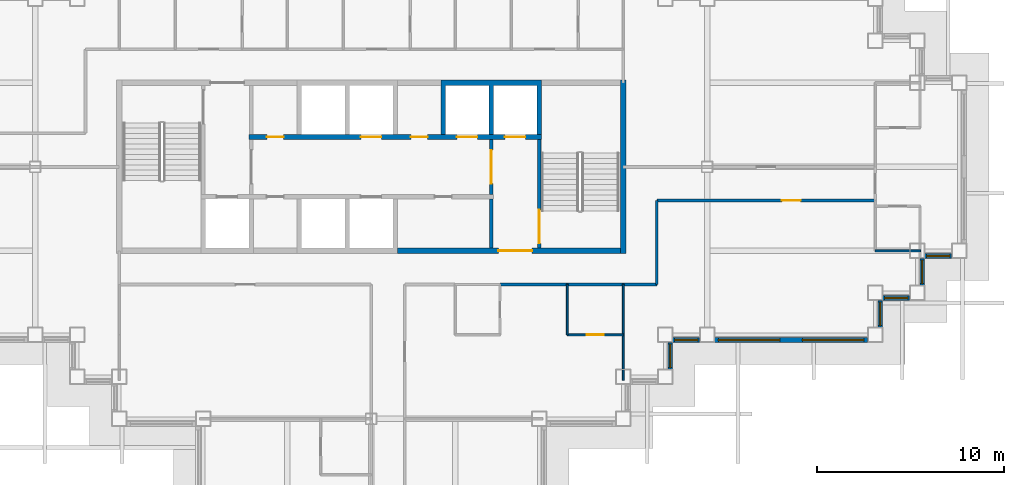
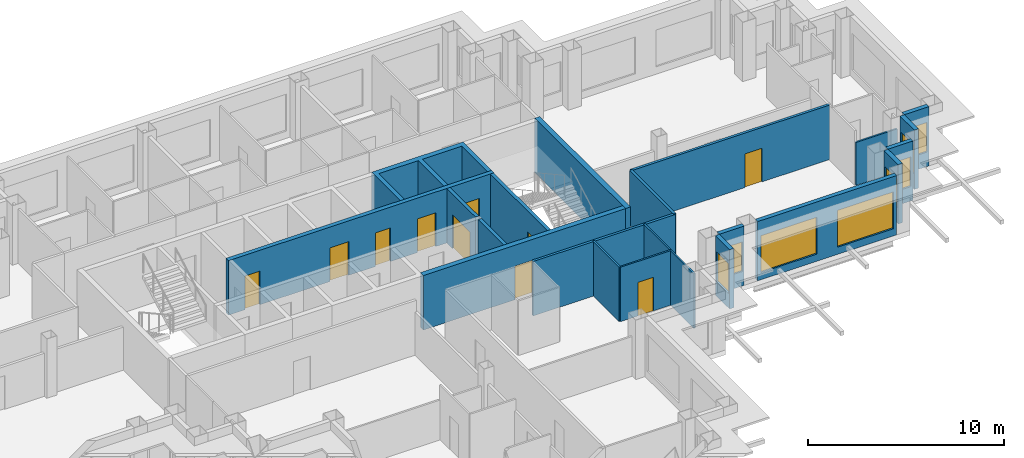
# One storey, part 6 of 14: 21 walls, 10 doors, 8 windows, 18 openings.
"""IFC4 building model written with IfcOpenShell, lengths in metres."""

from ifc_helpers import new_model, si_unit, direction, frame, frame_2d, origin, place, context, subcontext, project, spatial, polyline, rectangle, outline, extrude, material, layer, layer_set, type_object, element, fill, save


model = new_model("IFC4")

# Units and contexts
model_context = context("Model", 3, precision=1e-05, world=origin(), true_north=direction((0.0, 1.0)))
body_context = subcontext(model_context, "Body", "Model", "MODEL_VIEW")
ifc_project = project(units=[si_unit("LENGTHUNIT", "METRE"), si_unit("AREAUNIT", "SQUARE_METRE"), si_unit("VOLUMEUNIT", "CUBIC_METRE"), si_unit("PLANEANGLEUNIT", "RADIAN"), si_unit("MASSUNIT", "GRAM", prefix="KILO")], contexts=[model_context])

# Site, building, storey
site_placement = place(None, origin())
site = spatial("IfcSite", under=ifc_project, at=site_placement, CompositionType="ELEMENT")
building_placement = place(site_placement, origin())
building = spatial("IfcBuilding", under=site, at=building_placement, Name="Caravel Reach Hotel and Residences", CompositionType="ELEMENT")
storey_placement = place(building_placement, frame((0.0, 0.0, 161.699951171875)))
storey = spatial("IfcBuildingStorey", under=building, at=storey_placement, Name="L40", CompositionType="ELEMENT", Elevation=161.699951171875)

# Wall
ifc_material_1 = material(Name="Autoclaved aerated block wall")
ifc_layer_1 = layer(ifc_material_1, 0.199951171875)
ifc_layer_set_1 = layer_set([ifc_layer_1], Name="Compartment wall 200 mm EI 120")
wall_type_1 = type_object("IfcWallType", Name="Compartment wall 200 mm EI 120", PredefinedType="PARTITIONING", material=ifc_layer_set_1)
wall_1_placement = place(storey_placement, frame((37.928466796875, 22.64990234375, 0.0), z_axis=(0.0, 0.0, 1.0), x_axis=(0.0, 1.0, 0.0)))
element("IfcWall", 1, at=wall_1_placement, inside=storey, type_object=wall_type_1, Name="L40 store partition", PredefinedType="PARTITIONING", context=body_context, shape_type="SweptSolid", body=[
    extrude(rectangle(XDim=2.625, YDim=0.199951171875, at=frame_2d((1.3125, 0.0))), origin(), (0.0, 0.0, 1.0), 3.400146484375),
])

# Wall, opening, door
ifc_material_2 = material(Name="Concrete C60", Category="concrete")
ifc_layer_2 = layer(ifc_material_2, 0.300048828125)
ifc_layer_set_2 = layer_set([ifc_layer_2], Name="Core wall 300 mm EI 120")
wall_type_2 = type_object("IfcWallType", Name="Core wall 300 mm EI 120", PredefinedType="SHEAR", material=ifc_layer_set_2)
wall_2_placement = place(storey_placement, frame((32.91064453125, 22.5, 0.0), z_axis=(0.0, 0.0, 1.0), x_axis=(1.0, 0.0, 0.0)))
wall_2 = element("IfcWall", 2, at=wall_2_placement, inside=storey, type_object=wall_type_2, Name="L40 core wall S3", PredefinedType="SHEAR", context=body_context, shape_type="SweptSolid", body=[
    extrude(rectangle(XDim=11.939453125, YDim=0.300048828125, at=frame_2d((5.9697265625, 0.0))), origin(), (0.0, 0.0, 1.0), 3.400146484375),
])
opening_1_placement = place(wall_2_placement, frame((5.403564453125, 0.0, 0.0)))
opening_1 = element("IfcOpeningElement", 3, at=opening_1_placement, cuts=wall_2, Name="Opening D40-015", PredefinedType="OPENING", context=body_context, shape_type="SweptSolid", body=[
    extrude(rectangle(XDim=1.800048828125, YDim=2.10009765625, at=frame_2d((0.89990234375, 1.050048828125))), frame((0.0, 0.159912109375, 0.0), z_axis=(0.0, -1.0, 0.0), x_axis=(1.0, 0.0, 0.0)), (0.0, 0.0, 1.0), 0.320068359375),
])
ifc_material_3 = material(Name="Steel fire door leaf", Category="steel")
door_type_1 = type_object("IfcDoorType", Name="Fire lobby door pair 1800 x 2100 EI 90", OperationType="DOUBLE_DOOR_SINGLE_SWING", PredefinedType="DOOR", material=ifc_material_3)
door_1_placement = place(opening_1_placement, origin())
door_1 = element("IfcDoor", 4, at=door_1_placement, inside=storey, type_object=door_type_1, Name="lobby S door pair to corridor", OperationType="DOUBLE_DOOR_SINGLE_SWING", OverallHeight=2.10009765625, OverallWidth=1.800048828125, PredefinedType="DOOR", context=body_context, shape_type="SweptSolid", body=[
    extrude(rectangle(XDim=1.800048828125, YDim=2.10009765625, at=frame_2d((0.89990234375, 1.050048828125))), frame((0.0, 0.02490234375, 0.0), z_axis=(0.0, -1.0, 0.0), x_axis=(1.0, 0.0, 0.0)), (0.0, 0.0, 1.0), 0.050048828125),
])
fill(opening_1, door_1)

# Walls
wall_3_placement = place(storey_placement, frame((45.0, 22.35009765625, 0.0), z_axis=(0.0, 0.0, 1.0), x_axis=(0.0, 1.0, 0.0)))
element("IfcWall", 5, at=wall_3_placement, inside=storey, type_object=wall_type_2, Name="L40 core wall E", PredefinedType="SHEAR", context=body_context, shape_type="SweptSolid", body=[
    extrude(rectangle(XDim=9.2998046875, YDim=0.300048828125, at=frame_2d((4.64990234375, 0.0))), origin(), (0.0, 0.0, 1.0), 3.400146484375),
])
ifc_material_4 = material(Name="Gypsum board on steel stud, fire-rated", Category="steel")
ifc_layer_3 = layer(ifc_material_4, 0.14990234375)
ifc_layer_set_3 = layer_set([ifc_layer_3], Name="Corridor wall 150 mm EI 60")
wall_type_3 = type_object("IfcWallType", Name="Corridor wall 150 mm EI 60", PredefinedType="PARTITIONING", material=ifc_layer_set_3)
wall_4_placement = place(storey_placement, frame((38.39990234375, 20.699951171875, 0.0), z_axis=(0.0, 0.0, 1.0), x_axis=(1.0, 0.0, 0.0)))
element("IfcWall", 6, at=wall_4_placement, inside=storey, type_object=wall_type_3, Name="L40 wall w003", PredefinedType="PARTITIONING", context=body_context, shape_type="SweptSolid", body=[
    extrude(rectangle(XDim=8.400146484375, YDim=0.14990234375, at=frame_2d((4.2001953125, 0.0))), origin(), (0.0, 0.0, 1.0), 3.400146484375),
])

# Wall, opening, door
wall_5_placement = place(storey_placement, frame((46.801025390625, 25.199951171875, 0.0), z_axis=(0.0, 0.0, 1.0), x_axis=(1.0, 0.0, 0.0)))
wall_5 = element("IfcWall", 7, at=wall_5_placement, inside=storey, type_object=wall_type_3, Name="L40 wall w006", PredefinedType="PARTITIONING", context=body_context, shape_type="SweptSolid", body=[
    extrude(rectangle(XDim=11.698974609375, YDim=0.14990234375, at=frame_2d((5.849609375, 0.0))), origin(), (0.0, 0.0, 1.0), 3.400146484375),
])
opening_2_placement = place(wall_5_placement, frame((6.697998046875, 0.0, 0.0)))
opening_2 = element("IfcOpeningElement", 8, at=opening_2_placement, cuts=wall_5, Name="Opening D40-031", PredefinedType="OPENING", context=body_context, shape_type="SweptSolid", body=[
    extrude(rectangle(XDim=1.0, YDim=2.10009765625, at=frame_2d((0.5, 1.050048828125))), frame((0.0, 0.0849609375, 0.0), z_axis=(0.0, -1.0, 0.0), x_axis=(1.0, 0.0, 0.0)), (0.0, 0.0, 1.0), 0.169921875),
])
ifc_material_5 = material(Name="Steel fire door leaf", Category="steel")
door_type_2 = type_object("IfcDoorType", Name="Fire door 1000 x 2100 EI 60", OperationType="SINGLE_SWING_LEFT", PredefinedType="DOOR", material=ifc_material_5)
door_2_placement = place(opening_2_placement, origin())
door_2 = element("IfcDoor", 9, at=door_2_placement, inside=storey, type_object=door_type_2, Name="door D40-031", OperationType="SINGLE_SWING_RIGHT", OverallHeight=2.10009765625, OverallWidth=1.0, PredefinedType="DOOR", context=body_context, shape_type="SweptSolid", body=[
    extrude(rectangle(XDim=1.0, YDim=2.10009765625, at=frame_2d((0.5, 1.050048828125))), frame((0.0, 0.02490234375, 0.0), z_axis=(0.0, -1.0, 0.0), x_axis=(1.0, 0.0, 0.0)), (0.0, 0.0, 1.0), 0.050048828125),
])
fill(opening_2, door_2)

# Wall
wall_6_placement = place(storey_placement, frame((46.800048828125, 20.699951171875, 0.0), z_axis=(0.0, 0.0, 1.0), x_axis=(0.0, 1.0, 0.0)))
element("IfcWall", 10, at=wall_6_placement, inside=storey, type_object=wall_type_3, Name="L40 wall w029", PredefinedType="PARTITIONING", context=body_context, shape_type="SweptSolid", body=[
    extrude(rectangle(XDim=4.4990234375, YDim=0.14990234375, at=frame_2d((2.24951171875, 0.0))), origin(), (0.0, 0.0, 1.0), 3.400146484375),
])

# Wall, opening, window
ifc_material_6 = material(Name="Insulated rainscreen wall, aluminium cladding", Category="aluminium")
ifc_layer_4 = layer(ifc_material_6, 0.25)
ifc_layer_set_4 = layer_set([ifc_layer_4], Name="EW1 Tower rainscreen wall")
wall_type_4 = type_object("IfcWallType", Name="EW1 Tower rainscreen wall", PredefinedType="SOLIDWALL", material=ifc_layer_set_4)
wall_7_placement = place(storey_placement, frame((47.52490234375, 16.14990234375, 0.0), z_axis=(0.0, 0.0, 1.0), x_axis=(0.0, 1.0, 0.0)))
wall_7 = element("IfcWall", 11, at=wall_7_placement, inside=storey, type_object=wall_type_4, Name="External wall L40 E14.1", PredefinedType="SOLIDWALL", context=body_context, shape_type="SweptSolid", body=[
    extrude(rectangle(XDim=1.4501953125, YDim=0.25, at=frame_2d((0.72509765625, 0.0))), origin(), (0.0, 0.0, 1.0), 3.699951171875),
])
opening_3_placement = place(wall_7_placement, frame((0.10009765625, 0.0, 0.89990234375)))
opening_3 = element("IfcOpeningElement", 12, at=opening_3_placement, cuts=wall_7, Name="Opening WN13", PredefinedType="OPENING", context=body_context, shape_type="SweptSolid", body=[
    extrude(rectangle(XDim=1.25, YDim=1.85009765625, at=frame_2d((0.625, 0.925048828125))), frame((0.0, 0.135009765625, 0.0), z_axis=(0.0, -1.0, 0.0), x_axis=(1.0, 0.0, 0.0)), (0.0, 0.0, 1.0), 0.27001953125),
])
ifc_material_7 = material(Name="Dark low-e glazing in black aluminium frame", Category="aluminium")
window_type_1 = type_object("IfcWindowType", Name="Residence bedroom window 1250 x 1850", PartitioningType="SINGLE_PANEL", PredefinedType="WINDOW", material=ifc_material_7)
window_1_placement = place(opening_3_placement, origin())
window_1 = element("IfcWindow", 13, at=window_1_placement, inside=storey, type_object=window_type_1, Name="Window L40 E14.1.1", OverallHeight=1.85009765625, OverallWidth=1.25, PartitioningType="SINGLE_PANEL", PredefinedType="WINDOW", context=body_context, shape_type="SweptSolid", body=[
    extrude(rectangle(XDim=1.25, YDim=1.85009765625, at=frame_2d((0.625, 0.925048828125))), frame((0.0, 0.030029296875, 0.0), z_axis=(0.0, -1.0, 0.0), x_axis=(1.0, 0.0, 0.0)), (0.0, 0.0, 1.0), 0.06005859375),
])
fill(opening_3, window_1)

wall_8_placement = place(storey_placement, frame((47.64990234375, 17.72509765625, 0.0), z_axis=(0.0, 0.0, 1.0), x_axis=(1.0, 0.0, 0.0)))
wall_8 = element("IfcWall", 14, at=wall_8_placement, inside=storey, type_object=wall_type_4, Name="External wall L40 S15.1", PredefinedType="SOLIDWALL", context=body_context, shape_type="SweptSolid", body=[
    extrude(rectangle(XDim=1.4501953125, YDim=0.25, at=frame_2d((0.72509765625, 0.0))), origin(), (0.0, 0.0, 1.0), 3.699951171875),
])
opening_4_placement = place(wall_8_placement, frame((0.10009765625, 0.0, 0.89990234375)))
opening_4 = element("IfcOpeningElement", 15, at=opening_4_placement, cuts=wall_8, Name="Opening WN13", PredefinedType="OPENING", context=body_context, shape_type="SweptSolid", body=[
    extrude(rectangle(XDim=1.25, YDim=1.85009765625, at=frame_2d((0.625, 0.925048828125))), frame((0.0, 0.135009765625, 0.0), z_axis=(0.0, -1.0, 0.0), x_axis=(1.0, 0.0, 0.0)), (0.0, 0.0, 1.0), 0.27001953125),
])
window_2_placement = place(opening_4_placement, origin())
window_2 = element("IfcWindow", 16, at=window_2_placement, inside=storey, type_object=window_type_1, Name="Window L40 S15.1.1", OverallHeight=1.85009765625, OverallWidth=1.25, PartitioningType="SINGLE_PANEL", PredefinedType="WINDOW", context=body_context, shape_type="SweptSolid", body=[
    extrude(rectangle(XDim=1.25, YDim=1.85009765625, at=frame_2d((0.625, 0.925048828125))), frame((0.0, 0.030029296875, 0.0), z_axis=(0.0, -1.0, 0.0), x_axis=(1.0, 0.0, 0.0)), (0.0, 0.0, 1.0), 0.06005859375),
])
fill(opening_4, window_2)

# Wall, openings, windows
wall_9_placement = place(storey_placement, frame((49.89990234375, 17.72509765625, 0.0), z_axis=(0.0, 0.0, 1.0), x_axis=(1.0, 0.0, 0.0)))
wall_9 = element("IfcWall", 17, at=wall_9_placement, inside=storey, type_object=wall_type_4, Name="External wall L40 S15.2", PredefinedType="SOLIDWALL", context=body_context, shape_type="SweptSolid", body=[
    extrude(rectangle(XDim=8.2001953125, YDim=0.25, at=frame_2d((4.10009765625, 0.0))), origin(), (0.0, 0.0, 1.0), 3.699951171875),
])
opening_5_placement = place(wall_9_placement, frame((0.199951171875, 0.0, 0.449951171875)))
opening_5 = element("IfcOpeningElement", 18, at=opening_5_placement, cuts=wall_9, Name="Opening WN15", PredefinedType="OPENING", context=body_context, shape_type="SweptSolid", body=[
    extrude(rectangle(XDim=3.300048828125, YDim=2.300048828125, at=frame_2d((1.64990234375, 1.14990234375))), frame((0.0, 0.135009765625, 0.0), z_axis=(0.0, -1.0, 0.0), x_axis=(1.0, 0.0, 0.0)), (0.0, 0.0, 1.0), 0.27001953125),
])
opening_6_placement = place(wall_9_placement, frame((4.699951171875, 0.0, 0.449951171875)))
opening_6 = element("IfcOpeningElement", 19, at=opening_6_placement, cuts=wall_9, Name="Opening WN15", PredefinedType="OPENING", context=body_context, shape_type="SweptSolid", body=[
    extrude(rectangle(XDim=3.300048828125, YDim=2.300048828125, at=frame_2d((1.64990234375, 1.14990234375))), frame((0.0, 0.135009765625, 0.0), z_axis=(0.0, -1.0, 0.0), x_axis=(1.0, 0.0, 0.0)), (0.0, 0.0, 1.0), 0.27001953125),
])
ifc_material_8 = material(Name="Dark low-e glazing in black aluminium frame", Category="aluminium")
window_type_2 = type_object("IfcWindowType", Name="Residence living window 3300 x 2300", PartitioningType="SINGLE_PANEL", PredefinedType="WINDOW", material=ifc_material_8)
window_3_placement = place(opening_5_placement, origin())
window_3 = element("IfcWindow", 20, at=window_3_placement, inside=storey, type_object=window_type_2, Name="Window L40 S15.2.1", OverallHeight=2.300048828125, OverallWidth=3.300048828125, PartitioningType="SINGLE_PANEL", PredefinedType="WINDOW", context=body_context, shape_type="SweptSolid", body=[
    extrude(rectangle(XDim=3.300048828125, YDim=2.300048828125, at=frame_2d((1.64990234375, 1.14990234375))), frame((0.0, 0.030029296875, 0.0), z_axis=(0.0, -1.0, 0.0), x_axis=(1.0, 0.0, 0.0)), (0.0, 0.0, 1.0), 0.06005859375),
])
fill(opening_5, window_3)
window_4_placement = place(opening_6_placement, origin())
window_4 = element("IfcWindow", 21, at=window_4_placement, inside=storey, type_object=window_type_2, Name="Window L40 S15.2.2", OverallHeight=2.300048828125, OverallWidth=3.300048828125, PartitioningType="SINGLE_PANEL", PredefinedType="WINDOW", context=body_context, shape_type="SweptSolid", body=[
    extrude(rectangle(XDim=3.300048828125, YDim=2.300048828125, at=frame_2d((1.64990234375, 1.14990234375))), frame((0.0, 0.030029296875, 0.0), z_axis=(0.0, -1.0, 0.0), x_axis=(1.0, 0.0, 0.0)), (0.0, 0.0, 1.0), 0.06005859375),
])
fill(opening_6, window_4)

# Wall, opening, window
wall_10_placement = place(storey_placement, frame((58.77490234375, 18.39990234375, 0.0), z_axis=(0.0, 0.0, 1.0), x_axis=(0.0, 1.0, 0.0)))
wall_10 = element("IfcWall", 22, at=wall_10_placement, inside=storey, type_object=wall_type_4, Name="External wall L40 E16.1", PredefinedType="SOLIDWALL", context=body_context, shape_type="SweptSolid", body=[
    extrude(rectangle(XDim=1.4501953125, YDim=0.25, at=frame_2d((0.72509765625, 0.0))), origin(), (0.0, 0.0, 1.0), 3.699951171875),
])
opening_7_placement = place(wall_10_placement, frame((0.10009765625, 0.0, 0.89990234375)))
opening_7 = element("IfcOpeningElement", 23, at=opening_7_placement, cuts=wall_10, Name="Opening WN13", PredefinedType="OPENING", context=body_context, shape_type="SweptSolid", body=[
    extrude(rectangle(XDim=1.25, YDim=1.85009765625, at=frame_2d((0.625, 0.925048828125))), frame((0.0, 0.135009765625, 0.0), z_axis=(0.0, -1.0, 0.0), x_axis=(1.0, 0.0, 0.0)), (0.0, 0.0, 1.0), 0.27001953125),
])
window_5_placement = place(opening_7_placement, origin())
window_5 = element("IfcWindow", 24, at=window_5_placement, inside=storey, type_object=window_type_1, Name="Window L40 E16.1.1", OverallHeight=1.85009765625, OverallWidth=1.25, PartitioningType="SINGLE_PANEL", PredefinedType="WINDOW", context=body_context, shape_type="SweptSolid", body=[
    extrude(rectangle(XDim=1.25, YDim=1.85009765625, at=frame_2d((0.625, 0.925048828125))), frame((0.0, 0.030029296875, 0.0), z_axis=(0.0, -1.0, 0.0), x_axis=(1.0, 0.0, 0.0)), (0.0, 0.0, 1.0), 0.06005859375),
])
fill(opening_7, window_5)

wall_11_placement = place(storey_placement, frame((58.89990234375, 19.97509765625, 0.0), z_axis=(0.0, 0.0, 1.0), x_axis=(1.0, 0.0, 0.0)))
wall_11 = element("IfcWall", 25, at=wall_11_placement, inside=storey, type_object=wall_type_4, Name="External wall L40 S17.1", PredefinedType="SOLIDWALL", context=body_context, shape_type="SweptSolid", body=[
    extrude(rectangle(XDim=1.4501953125, YDim=0.25, at=frame_2d((0.72509765625, 0.0))), origin(), (0.0, 0.0, 1.0), 3.699951171875),
])
opening_8_placement = place(wall_11_placement, frame((0.10009765625, 0.0, 0.89990234375)))
opening_8 = element("IfcOpeningElement", 26, at=opening_8_placement, cuts=wall_11, Name="Opening WN13", PredefinedType="OPENING", context=body_context, shape_type="SweptSolid", body=[
    extrude(rectangle(XDim=1.25, YDim=1.85009765625, at=frame_2d((0.625, 0.925048828125))), frame((0.0, 0.135009765625, 0.0), z_axis=(0.0, -1.0, 0.0), x_axis=(1.0, 0.0, 0.0)), (0.0, 0.0, 1.0), 0.27001953125),
])
window_6_placement = place(opening_8_placement, origin())
window_6 = element("IfcWindow", 27, at=window_6_placement, inside=storey, type_object=window_type_1, Name="Window L40 S17.1.1", OverallHeight=1.85009765625, OverallWidth=1.25, PartitioningType="SINGLE_PANEL", PredefinedType="WINDOW", context=body_context, shape_type="SweptSolid", body=[
    extrude(rectangle(XDim=1.25, YDim=1.85009765625, at=frame_2d((0.625, 0.925048828125))), frame((0.0, 0.030029296875, 0.0), z_axis=(0.0, -1.0, 0.0), x_axis=(1.0, 0.0, 0.0)), (0.0, 0.0, 1.0), 0.06005859375),
])
fill(opening_8, window_6)

wall_12_placement = place(storey_placement, frame((61.02490234375, 20.64990234375, 0.0), z_axis=(0.0, 0.0, 1.0), x_axis=(0.0, 1.0, 0.0)))
wall_12 = element("IfcWall", 28, at=wall_12_placement, inside=storey, type_object=wall_type_4, Name="External wall L40 E18.1", PredefinedType="SOLIDWALL", context=body_context, shape_type="SweptSolid", body=[
    extrude(rectangle(XDim=1.4501953125, YDim=0.25, at=frame_2d((0.72509765625, 0.0))), origin(), (0.0, 0.0, 1.0), 3.699951171875),
])
opening_9_placement = place(wall_12_placement, frame((0.10009765625, 0.0, 0.89990234375)))
opening_9 = element("IfcOpeningElement", 29, at=opening_9_placement, cuts=wall_12, Name="Opening WN13", PredefinedType="OPENING", context=body_context, shape_type="SweptSolid", body=[
    extrude(rectangle(XDim=1.25, YDim=1.85009765625, at=frame_2d((0.625, 0.925048828125))), frame((0.0, 0.135009765625, 0.0), z_axis=(0.0, -1.0, 0.0), x_axis=(1.0, 0.0, 0.0)), (0.0, 0.0, 1.0), 0.27001953125),
])
window_7_placement = place(opening_9_placement, origin())
window_7 = element("IfcWindow", 30, at=window_7_placement, inside=storey, type_object=window_type_1, Name="Window L40 E18.1.1", OverallHeight=1.85009765625, OverallWidth=1.25, PartitioningType="SINGLE_PANEL", PredefinedType="WINDOW", context=body_context, shape_type="SweptSolid", body=[
    extrude(rectangle(XDim=1.25, YDim=1.85009765625, at=frame_2d((0.625, 0.925048828125))), frame((0.0, 0.030029296875, 0.0), z_axis=(0.0, -1.0, 0.0), x_axis=(1.0, 0.0, 0.0)), (0.0, 0.0, 1.0), 0.06005859375),
])
fill(opening_9, window_7)

wall_13_placement = place(storey_placement, frame((61.14990234375, 22.22509765625, 0.0), z_axis=(0.0, 0.0, 1.0), x_axis=(1.0, 0.0, 0.0)))
wall_13 = element("IfcWall", 31, at=wall_13_placement, inside=storey, type_object=wall_type_4, Name="External wall L40 S19.1", PredefinedType="SOLIDWALL", context=body_context, shape_type="SweptSolid", body=[
    extrude(rectangle(XDim=1.4501953125, YDim=0.25, at=frame_2d((0.72509765625, 0.0))), origin(), (0.0, 0.0, 1.0), 3.699951171875),
])
opening_10_placement = place(wall_13_placement, frame((0.10009765625, 0.0, 0.89990234375)))
opening_10 = element("IfcOpeningElement", 32, at=opening_10_placement, cuts=wall_13, Name="Opening WN13", PredefinedType="OPENING", context=body_context, shape_type="SweptSolid", body=[
    extrude(rectangle(XDim=1.25, YDim=1.85009765625, at=frame_2d((0.625, 0.925048828125))), frame((0.0, 0.135009765625, 0.0), z_axis=(0.0, -1.0, 0.0), x_axis=(1.0, 0.0, 0.0)), (0.0, 0.0, 1.0), 0.27001953125),
])
window_8_placement = place(opening_10_placement, origin())
window_8 = element("IfcWindow", 33, at=window_8_placement, inside=storey, type_object=window_type_1, Name="Window L40 S19.1.1", OverallHeight=1.85009765625, OverallWidth=1.25, PartitioningType="SINGLE_PANEL", PredefinedType="WINDOW", context=body_context, shape_type="SweptSolid", body=[
    extrude(rectangle(XDim=1.25, YDim=1.85009765625, at=frame_2d((0.625, 0.925048828125))), frame((0.0, 0.030029296875, 0.0), z_axis=(0.0, -1.0, 0.0), x_axis=(1.0, 0.0, 0.0)), (0.0, 0.0, 1.0), 0.06005859375),
])
fill(opening_10, window_8)

# Wall, opening, door
ifc_material_9 = material(Name="Autoclaved aerated block wall")
ifc_layer_5 = layer(ifc_material_9, 0.199951171875)
ifc_layer_set_5 = layer_set([ifc_layer_5], Name="Fire lobby wall 200 mm EI 120")
wall_type_5 = type_object("IfcWallType", Name="Fire lobby wall 200 mm EI 120", PredefinedType="PARTITIONING", material=ifc_layer_set_5)
wall_14_placement = place(storey_placement, frame((37.928466796875, 25.52490234375, 0.0), z_axis=(0.0, 0.0, 1.0), x_axis=(0.0, 1.0, 0.0)))
wall_14 = element("IfcWall", 34, at=wall_14_placement, inside=storey, type_object=wall_type_5, Name="L40 lobby E wall", PredefinedType="PARTITIONING", context=body_context, shape_type="SweptSolid", body=[
    extrude(rectangle(XDim=2.9501953125, YDim=0.199951171875, at=frame_2d((1.47509765625, 0.0))), origin(), (0.0, 0.0, 1.0), 3.400146484375),
])
opening_11_placement = place(wall_14_placement, frame((0.574951171875, 0.0, 0.0)))
opening_11 = element("IfcOpeningElement", 35, at=opening_11_placement, cuts=wall_14, Name="Opening D40-013", PredefinedType="OPENING", context=body_context, shape_type="SweptSolid", body=[
    extrude(rectangle(XDim=1.800048828125, YDim=2.10009765625, at=frame_2d((0.89990234375, 1.050048828125))), frame((0.0, 0.10986328125, 0.0), z_axis=(0.0, -1.0, 0.0), x_axis=(1.0, 0.0, 0.0)), (0.0, 0.0, 1.0), 0.219970703125),
])
door_3_placement = place(opening_11_placement, origin())
door_3 = element("IfcDoor", 36, at=door_3_placement, inside=storey, type_object=door_type_1, Name="lobby E door pair", OperationType="DOUBLE_DOOR_SINGLE_SWING", OverallHeight=2.10009765625, OverallWidth=1.800048828125, PredefinedType="DOOR", context=body_context, shape_type="SweptSolid", body=[
    extrude(rectangle(XDim=1.800048828125, YDim=2.10009765625, at=frame_2d((0.89990234375, 1.050048828125))), frame((0.0, 0.02490234375, 0.0), z_axis=(0.0, -1.0, 0.0), x_axis=(1.0, 0.0, 0.0)), (0.0, 0.0, 1.0), 0.050048828125),
])
fill(opening_11, door_3)

ifc_material_10 = material(Name="Gypsum board on steel stud", Category="steel")
ifc_layer_6 = layer(ifc_material_10, 0.10009765625)
ifc_layer_set_6 = layer_set([ifc_layer_6], Name="Partition 100 mm")
wall_type_6 = type_object("IfcWallType", Name="Partition 100 mm", PredefinedType="PARTITIONING", material=ifc_layer_set_6)
wall_15_placement = place(storey_placement, frame((42.0, 18.0, 0.0), z_axis=(0.0, 0.0, 1.0), x_axis=(1.0, 0.0, 0.0)))
wall_15 = element("IfcWall", 37, at=wall_15_placement, inside=storey, type_object=wall_type_6, Name="L40 wall w036", PredefinedType="PARTITIONING", context=body_context, shape_type="SweptSolid", body=[
    extrude(rectangle(XDim=3.0, YDim=0.10009765625, at=frame_2d((1.5, 0.0))), origin(), (0.0, 0.0, 1.0), 3.400146484375),
])
opening_12_placement = place(wall_15_placement, frame((1.050048828125, 0.0, 0.0)))
opening_12 = element("IfcOpeningElement", 38, at=opening_12_placement, cuts=wall_15, Name="Opening D40-035", PredefinedType="OPENING", context=body_context, shape_type="SweptSolid", body=[
    extrude(rectangle(XDim=0.89990234375, YDim=2.10009765625, at=frame_2d((0.449951171875, 1.050048828125))), frame((0.0, 0.06005859375, 0.0), z_axis=(0.0, -1.0, 0.0), x_axis=(1.0, 0.0, 0.0)), (0.0, 0.0, 1.0), 0.1201171875),
])
ifc_material_11 = material(Name="Timber and steel door leaf", Category="steel")
door_type_3 = type_object("IfcDoorType", Name="Door 900 x 2100 timber", OperationType="SINGLE_SWING_LEFT", PredefinedType="DOOR", material=ifc_material_11)
door_4_placement = place(opening_12_placement, origin())
door_4 = element("IfcDoor", 39, at=door_4_placement, inside=storey, type_object=door_type_3, Name="door D40-035", OperationType="SINGLE_SWING_RIGHT", OverallHeight=2.10009765625, OverallWidth=0.89990234375, PredefinedType="DOOR", context=body_context, shape_type="SweptSolid", body=[
    extrude(rectangle(XDim=0.89990234375, YDim=2.10009765625, at=frame_2d((0.449951171875, 1.050048828125))), frame((0.0, 0.02490234375, 0.0), z_axis=(0.0, -1.0, 0.0), x_axis=(1.0, 0.0, 0.0)), (0.0, 0.0, 1.0), 0.050048828125),
])
fill(opening_12, door_4)

# Walls
wall_16_placement = place(storey_placement, frame((58.5009765625, 22.5, 0.0), z_axis=(0.0, 0.0, 1.0), x_axis=(1.0, 0.0, 0.0)))
element("IfcWall", 40, at=wall_16_placement, inside=storey, type_object=wall_type_6, Name="L40 wall w038", PredefinedType="PARTITIONING", context=body_context, shape_type="SweptSolid", body=[
    extrude(rectangle(XDim=2.43896484375, YDim=0.10009765625, at=frame_2d((1.219482421875, 0.0))), origin(), (0.0, 0.0, 1.0), 2.679931640625),
])
wall_17_placement = place(storey_placement, frame((42.0, 18.0, 0.0), z_axis=(0.0, 0.0, 1.0), x_axis=(0.0, 1.0, 0.0)))
element("IfcWall", 41, at=wall_17_placement, inside=storey, type_object=wall_type_6, Name="L40 wall w068", PredefinedType="PARTITIONING", context=body_context, shape_type="SweptSolid", body=[
    extrude(rectangle(XDim=2.699951171875, YDim=0.10009765625, at=frame_2d((1.35009765625, 0.0))), origin(), (0.0, 0.0, 1.0), 3.400146484375),
])
wall_18_placement = place(storey_placement, frame((45.0, 15.56005859375, 0.0), z_axis=(0.0, 0.0, 1.0), x_axis=(0.0, 1.0, 0.0)))
element("IfcWall", 42, at=wall_18_placement, inside=storey, type_object=wall_type_6, Name="L40 wall w069", PredefinedType="PARTITIONING", context=body_context, shape_type="SweptSolid", body=[
    extrude(rectangle(XDim=5.138916015625, YDim=0.10009765625, at=frame_2d((2.5693359375, 0.0))), origin(), (0.0, 0.0, 1.0), 3.400146484375),
])
ifc_material_12 = material(Name="Concrete C60", Category="concrete")
ifc_layer_7 = layer(ifc_material_12, 0.25)
ifc_layer_set_7 = layer_set([ifc_layer_7], Name="Shaft wall 250 mm EI 120")
wall_type_7 = type_object("IfcWallType", Name="Shaft wall 250 mm EI 120", PredefinedType="SHEAR", material=ifc_layer_set_7)
wall_19_placement = place(storey_placement, origin())
element("IfcWall", 43, at=wall_19_placement, inside=storey, type_object=wall_type_7, Name="L40 lift shaft wall N2", PredefinedType="SHEAR", context=body_context, shape_type="SweptSolid", body=[
    extrude(outline(polyline([(35.232177734375, 28.72509765625), (35.482177734375, 28.72509765625), (35.482177734375, 31.35009765625), (37.803466796875, 31.35009765625), (37.803466796875, 28.72509765625), (38.053466796875, 28.72509765625), (38.053466796875, 31.35009765625), (40.375, 31.35009765625), (40.375, 28.72509765625), (40.625, 28.72509765625), (40.625, 31.64990234375), (35.232177734375, 31.64990234375), (35.232177734375, 28.72509765625)])), origin(), (0.0, 0.0, 1.0), 3.400146484375),
])

# Wall, openings, doors
wall_20_placement = place(storey_placement, frame((24.946533203125, 28.60009765625, 0.0), z_axis=(0.0, 0.0, 1.0), x_axis=(1.0, 0.0, 0.0)))
wall_20 = element("IfcWall", 44, at=wall_20_placement, inside=storey, type_object=wall_type_7, Name="L40 lobby wall N1", PredefinedType="SHEAR", context=body_context, shape_type="SweptSolid", body=[
    extrude(rectangle(XDim=15.678466796875, YDim=0.25, at=frame_2d((7.83935546875, 0.0))), origin(), (0.0, 0.0, 1.0), 3.400146484375),
])
opening_13_placement = place(wall_20_placement, frame((6.003662109375, 0.0, 0.0)))
opening_13 = element("IfcOpeningElement", 45, at=opening_13_placement, cuts=wall_20, Name="Opening D40-002", PredefinedType="OPENING", context=body_context, shape_type="SweptSolid", body=[
    extrude(rectangle(XDim=1.10009765625, YDim=2.10009765625, at=frame_2d((0.550048828125, 1.050048828125))), frame((0.0, 0.135009765625, 0.0), z_axis=(0.0, -1.0, 0.0), x_axis=(1.0, 0.0, 0.0)), (0.0, 0.0, 1.0), 0.27001953125),
])
opening_14_placement = place(wall_20_placement, frame((11.146484375, 0.0, 0.0)))
opening_14 = element("IfcOpeningElement", 46, at=opening_14_placement, cuts=wall_20, Name="Opening D40-003", PredefinedType="OPENING", context=body_context, shape_type="SweptSolid", body=[
    extrude(rectangle(XDim=1.10009765625, YDim=2.10009765625, at=frame_2d((0.550048828125, 1.050048828125))), frame((0.0, 0.135009765625, 0.0), z_axis=(0.0, -1.0, 0.0), x_axis=(1.0, 0.0, 0.0)), (0.0, 0.0, 1.0), 0.27001953125),
])
opening_15_placement = place(wall_20_placement, frame((13.718017578125, 0.0, 0.0)))
opening_15 = element("IfcOpeningElement", 47, at=opening_15_placement, cuts=wall_20, Name="Opening D40-005", PredefinedType="OPENING", context=body_context, shape_type="SweptSolid", body=[
    extrude(rectangle(XDim=1.10009765625, YDim=2.10009765625, at=frame_2d((0.550048828125, 1.050048828125))), frame((0.0, 0.135009765625, 0.0), z_axis=(0.0, -1.0, 0.0), x_axis=(1.0, 0.0, 0.0)), (0.0, 0.0, 1.0), 0.27001953125),
])
opening_16_placement = place(wall_20_placement, frame((0.960693359375, 0.0, 0.0)))
opening_16 = element("IfcOpeningElement", 48, at=opening_16_placement, cuts=wall_20, Name="Opening D40-008", PredefinedType="OPENING", context=body_context, shape_type="SweptSolid", body=[
    extrude(rectangle(XDim=0.89990234375, YDim=2.10009765625, at=frame_2d((0.449951171875, 1.050048828125))), frame((0.0, 0.135009765625, 0.0), z_axis=(0.0, -1.0, 0.0), x_axis=(1.0, 0.0, 0.0)), (0.0, 0.0, 1.0), 0.27001953125),
])
opening_17_placement = place(wall_20_placement, frame((8.675048828125, 0.0, 0.0)))
opening_17 = element("IfcOpeningElement", 49, at=opening_17_placement, cuts=wall_20, Name="Opening D40-009", PredefinedType="OPENING", context=body_context, shape_type="SweptSolid", body=[
    extrude(rectangle(XDim=0.89990234375, YDim=2.10009765625, at=frame_2d((0.449951171875, 1.050048828125))), frame((0.0, 0.135009765625, 0.0), z_axis=(0.0, -1.0, 0.0), x_axis=(1.0, 0.0, 0.0)), (0.0, 0.0, 1.0), 0.27001953125),
])
ifc_material_13 = material(Name="Stainless steel landing door", Category="steel")
door_type_4 = type_object("IfcDoorType", Name="Landing door LD 1100 x 2100 sliding", OperationType="DOUBLE_DOOR_SLIDING", PredefinedType="DOOR", material=ifc_material_13)
door_5_placement = place(opening_13_placement, origin())
door_5 = element("IfcDoor", 50, at=door_5_placement, inside=storey, type_object=door_type_4, Name="MP2 landing door", OperationType="DOUBLE_DOOR_SLIDING", OverallHeight=2.10009765625, OverallWidth=1.10009765625, PredefinedType="DOOR", context=body_context, shape_type="SweptSolid", body=[
    extrude(rectangle(XDim=1.10009765625, YDim=2.10009765625, at=frame_2d((0.550048828125, 1.050048828125))), frame((0.0, 0.02490234375, 0.0), z_axis=(0.0, -1.0, 0.0), x_axis=(1.0, 0.0, 0.0)), (0.0, 0.0, 1.0), 0.050048828125),
])
fill(opening_13, door_5)
door_6_placement = place(opening_14_placement, origin())
door_6 = element("IfcDoor", 51, at=door_6_placement, inside=storey, type_object=door_type_4, Name="MP3 landing door", OperationType="DOUBLE_DOOR_SLIDING", OverallHeight=2.10009765625, OverallWidth=1.10009765625, PredefinedType="DOOR", context=body_context, shape_type="SweptSolid", body=[
    extrude(rectangle(XDim=1.10009765625, YDim=2.10009765625, at=frame_2d((0.550048828125, 1.050048828125))), frame((0.0, 0.02490234375, 0.0), z_axis=(0.0, -1.0, 0.0), x_axis=(1.0, 0.0, 0.0)), (0.0, 0.0, 1.0), 0.050048828125),
])
fill(opening_14, door_6)
door_7_placement = place(opening_15_placement, origin())
door_7 = element("IfcDoor", 52, at=door_7_placement, inside=storey, type_object=door_type_4, Name="FL2 landing door", OperationType="DOUBLE_DOOR_SLIDING", OverallHeight=2.10009765625, OverallWidth=1.10009765625, PredefinedType="DOOR", context=body_context, shape_type="SweptSolid", body=[
    extrude(rectangle(XDim=1.10009765625, YDim=2.10009765625, at=frame_2d((0.550048828125, 1.050048828125))), frame((0.0, 0.02490234375, 0.0), z_axis=(0.0, -1.0, 0.0), x_axis=(1.0, 0.0, 0.0)), (0.0, 0.0, 1.0), 0.050048828125),
])
fill(opening_15, door_7)
ifc_material_14 = material(Name="Steel fire door leaf", Category="steel")
door_type_5 = type_object("IfcDoorType", Name="Riser door 900 x 2100 EI 60", OperationType="SINGLE_SWING_LEFT", PredefinedType="DOOR", material=ifc_material_14)
door_8_placement = place(opening_16_placement, origin())
door_8 = element("IfcDoor", 53, at=door_8_placement, inside=storey, type_object=door_type_5, Name="Package store door", OperationType="SINGLE_SWING_LEFT", OverallHeight=2.10009765625, OverallWidth=0.89990234375, PredefinedType="DOOR", context=body_context, shape_type="SweptSolid", body=[
    extrude(rectangle(XDim=0.89990234375, YDim=2.10009765625, at=frame_2d((0.449951171875, 1.050048828125))), frame((0.0, 0.02490234375, 0.0), z_axis=(0.0, -1.0, 0.0), x_axis=(1.0, 0.0, 0.0)), (0.0, 0.0, 1.0), 0.050048828125),
])
fill(opening_16, door_8)
door_9_placement = place(opening_17_placement, origin())
door_9 = element("IfcDoor", 54, at=door_9_placement, inside=storey, type_object=door_type_5, Name="Water tank room door", OperationType="SINGLE_SWING_LEFT", OverallHeight=2.10009765625, OverallWidth=0.89990234375, PredefinedType="DOOR", context=body_context, shape_type="SweptSolid", body=[
    extrude(rectangle(XDim=0.89990234375, YDim=2.10009765625, at=frame_2d((0.449951171875, 1.050048828125))), frame((0.0, 0.02490234375, 0.0), z_axis=(0.0, -1.0, 0.0), x_axis=(1.0, 0.0, 0.0)), (0.0, 0.0, 1.0), 0.050048828125),
])
fill(opening_17, door_9)

# Wall, opening, door
ifc_material_15 = material(Name="Concrete C60", Category="concrete")
ifc_layer_8 = layer(ifc_material_15, 0.199951171875)
ifc_layer_set_8 = layer_set([ifc_layer_8], Name="Stair enclosure wall 200 mm EI 120")
wall_type_8 = type_object("IfcWallType", Name="Stair enclosure wall 200 mm EI 120", PredefinedType="SHEAR", material=ifc_layer_set_8)
wall_21_placement = place(storey_placement, frame((40.5, 22.64990234375, 0.0), z_axis=(0.0, 0.0, 1.0), x_axis=(0.0, 1.0, 0.0)))
wall_21 = element("IfcWall", 55, at=wall_21_placement, inside=storey, type_object=wall_type_8, Name="L40 stair B wall", PredefinedType="SHEAR", context=body_context, shape_type="SweptSolid", body=[
    extrude(rectangle(XDim=5.8251953125, YDim=0.199951171875, at=frame_2d((2.91259765625, 0.0))), origin(), (0.0, 0.0, 1.0), 3.400146484375),
])
opening_18_placement = place(wall_21_placement, frame((0.25, 0.0, 0.0)))
opening_18 = element("IfcOpeningElement", 56, at=opening_18_placement, cuts=wall_21, Name="Opening D40-011", PredefinedType="OPENING", context=body_context, shape_type="SweptSolid", body=[
    extrude(rectangle(XDim=1.800048828125, YDim=2.10009765625, at=frame_2d((0.89990234375, 1.050048828125))), frame((0.0, 0.10986328125, 0.0), z_axis=(0.0, -1.0, 0.0), x_axis=(1.0, 0.0, 0.0)), (0.0, 0.0, 1.0), 0.219970703125),
])
ifc_material_16 = material(Name="Steel fire door leaf", Category="steel")
door_type_6 = type_object("IfcDoorType", Name="Stair door pair 1800 x 2100 EI 90", OperationType="DOUBLE_DOOR_SINGLE_SWING", PredefinedType="DOOR", material=ifc_material_16)
door_10_placement = place(opening_18_placement, origin())
door_10 = element("IfcDoor", 57, at=door_10_placement, inside=storey, type_object=door_type_6, Name="stair B door pair", OperationType="DOUBLE_DOOR_SINGLE_SWING", OverallHeight=2.10009765625, OverallWidth=1.800048828125, PredefinedType="DOOR", context=body_context, shape_type="SweptSolid", body=[
    extrude(rectangle(XDim=1.800048828125, YDim=2.10009765625, at=frame_2d((0.89990234375, 1.050048828125))), frame((0.0, 0.02490234375, 0.0), z_axis=(0.0, -1.0, 0.0), x_axis=(1.0, 0.0, 0.0)), (0.0, 0.0, 1.0), 0.050048828125),
])
fill(opening_18, door_10)

save(model, "model.ifc")
